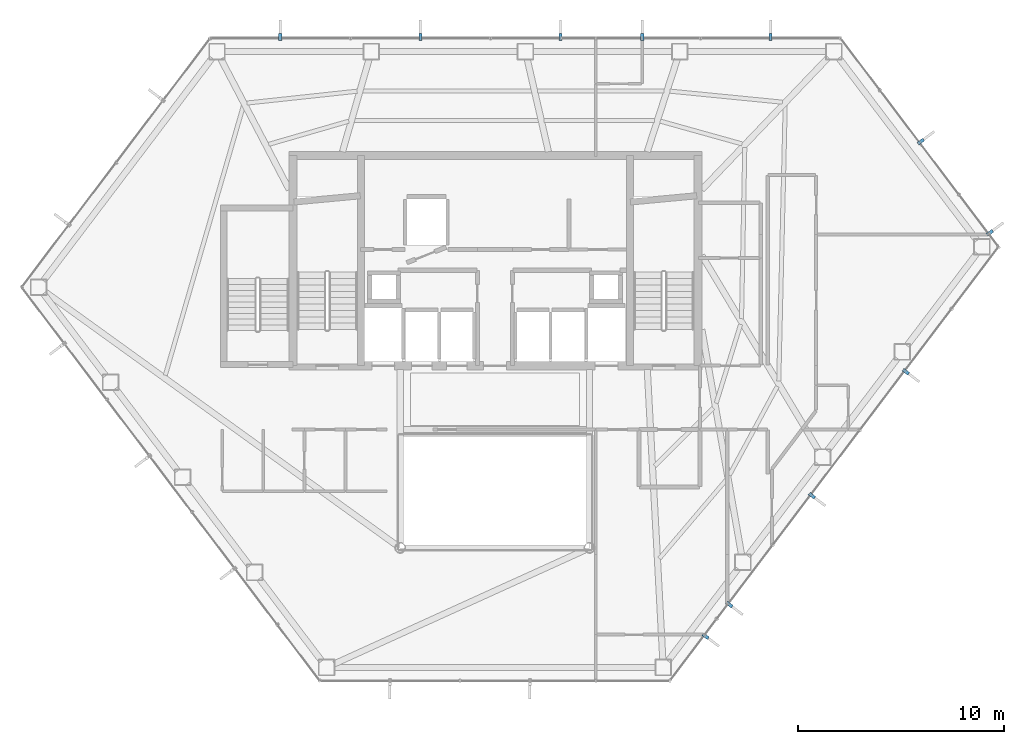
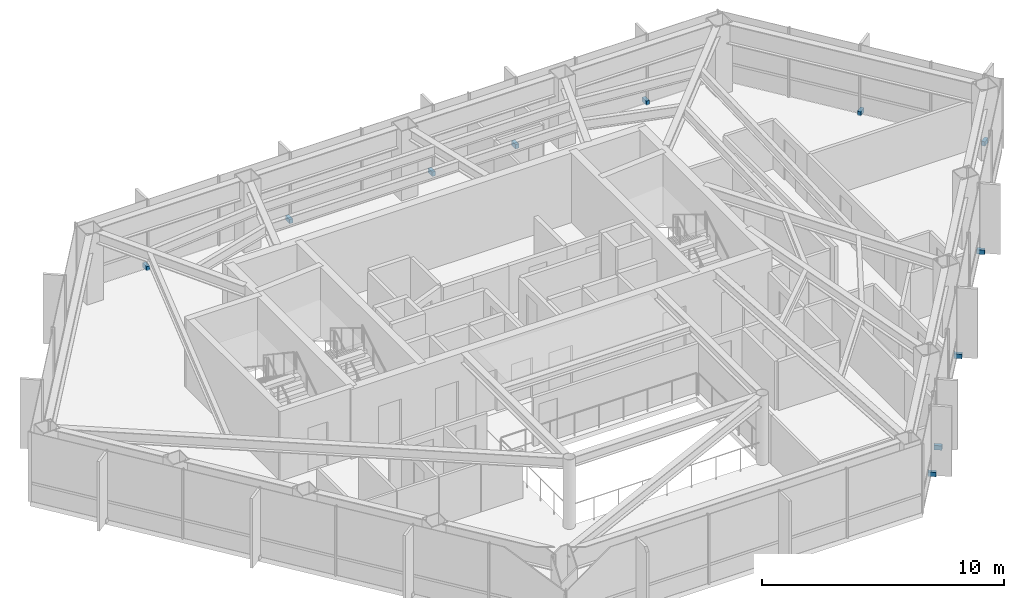
# One storey, part 28 of 29: 11 discrete accessories.
"""IFC4 building model written with IfcOpenShell, lengths in metres."""

import ifcopenshell
import ifcopenshell.guid

model = None  # the IFC model being written
_history = None  # IfcOwnerHistory: only IFC2X3 demands one
_inside = {}  # id of a spatial element -> (the spatial element, [elements in it])
_under = {}  # id of a project, library or spatial element -> (it, [spatial elements below it])
_declared = {}  # id of a project -> (the project, [libraries it declares])
_typed = {}  # id of a type object -> (the type object, [elements of that type])
_made_of = {}  # id of a material, layer set ... -> (it, [elements and type objects made of it])


def new_model(schema):
    """Start an empty IFC model of exactly this schema.

    Asked for "IFC4X3", IfcOpenShell would pick the latest addendum, in which some entities
    have other attributes; the version numbers below select the first issue.
    IFC2X3 requires an IfcOwnerHistory on every rooted entity: one is made here for all.
    """
    global model, _history
    if schema == "IFC4X3":
        model = ifcopenshell.file(schema_version=(4, 3, 0, 0))
    else:
        model = ifcopenshell.file(schema=schema)
    _inside.clear()
    _under.clear()
    _declared.clear()
    _typed.clear()
    _made_of.clear()
    _history = None
    if model.schema == "IFC2X3":
        org = make("IfcOrganization", Name="unknown")
        user = make(
            "IfcPersonAndOrganization",
            ThePerson=make("IfcPerson", FamilyName="unknown"),
            TheOrganization=org,
        )
        app = make(
            "IfcApplication",
            ApplicationDeveloper=org,
            Version="unknown",
            ApplicationFullName="unknown",
            ApplicationIdentifier="unknown",
        )
        _history = make(
            "IfcOwnerHistory",
            OwningUser=user,
            OwningApplication=app,
            ChangeAction="ADDED",
            CreationDate=0,
        )
    return model


def make(cls, **values):
    """One entity of the class cls with the attributes given. An attribute that is None is left unset."""
    return model.create_entity(
        cls, **{name: value for name, value in values.items() if value is not None}
    )


def rooted(cls, **values):
    """An entity with a GlobalId (a new one), such as an element, a storey or a relation."""
    return make(cls, GlobalId=ifcopenshell.guid.new(), OwnerHistory=_history, **values)


def si_unit(unit_type, name, prefix=None):
    """IfcSIUnit, for example si_unit("LENGTHUNIT", "METRE", prefix="MILLI")."""
    return make("IfcSIUnit", UnitType=unit_type, Prefix=prefix, Name=name)


def assignment(units):
    """IfcUnitAssignment: the units of a project."""
    return None if units is None else make("IfcUnitAssignment", Units=units)


def point(xyz):
    """IfcCartesianPoint."""
    return None if xyz is None else make("IfcCartesianPoint", Coordinates=xyz)


def direction(xyz):
    """IfcDirection."""
    return None if xyz is None else make("IfcDirection", DirectionRatios=xyz)


def frame(location, z_axis=None, x_axis=None):
    """IfcAxis2Placement3D, a coordinate frame: its origin and axes. An axis left out is left unset."""
    return make(
        "IfcAxis2Placement3D",
        Location=point(location),
        Axis=direction(z_axis),
        RefDirection=direction(x_axis),
    )


def frame_2d(location, x_axis=None):
    """IfcAxis2Placement2D, a coordinate frame in the plane: its origin and x axis."""
    return make(
        "IfcAxis2Placement2D", Location=point(location), RefDirection=direction(x_axis)
    )


def origin():
    """The frame at (0, 0, 0) with its axes left unset."""
    return frame((0.0, 0.0, 0.0))


def origin_2d():
    """The frame at (0, 0) in the plane with its x axis left unset."""
    return frame_2d((0.0, 0.0))


def place(relative_to, where):
    """IfcLocalPlacement: puts the frame where relative to a parent placement (None: the world)."""
    return make(
        "IfcLocalPlacement", PlacementRelTo=relative_to, RelativePlacement=where
    )


def context(
    kind, dimensions, precision=None, world=None, true_north=None, identifier=None
):
    """IfcGeometricRepresentationContext, for example the 3D "Model" context."""
    return make(
        "IfcGeometricRepresentationContext",
        ContextIdentifier=identifier,
        ContextType=kind,
        CoordinateSpaceDimension=dimensions,
        Precision=precision,
        WorldCoordinateSystem=world,
        TrueNorth=true_north,
    )


def subcontext(parent, identifier, kind, view, scale=None):
    """IfcGeometricRepresentationSubContext, for example "Body" below "Model"."""
    return make(
        "IfcGeometricRepresentationSubContext",
        ContextIdentifier=identifier,
        ContextType=kind,
        ParentContext=parent,
        TargetScale=scale,
        TargetView=view,
    )


def project(units=None, contexts=None):
    """IfcProject with its units and contexts."""
    return rooted(
        "IfcProject",
        Name="project",
        RepresentationContexts=contexts,
        UnitsInContext=assignment(units),
    )


def spatial(cls, under=None, at=None, **own):
    """A site, building, storey or space (cls), placed at a placement, below another one or the project."""
    s = rooted(cls, ObjectPlacement=at, **own)
    if under is not None:
        _under.setdefault(under.id(), (under, []))[1].append(s)
    return s


def profile(cls, at=None, kind="AREA", **sizes):
    """A parametric profile (cls). Its sizes go by their IFC names, for example OverallWidth=200.0."""
    return make(cls, ProfileType=kind, Position=at, **sizes)


def rectangle(**sizes):
    """IfcRectangleProfileDef."""
    return profile("IfcRectangleProfileDef", **sizes)


def extrude(swept, where, along, depth):
    """IfcExtrudedAreaSolid: the profile swept, set in the frame where, extruded along a direction by depth."""
    return make(
        "IfcExtrudedAreaSolid",
        SweptArea=swept,
        Position=where,
        ExtrudedDirection=direction(along),
        Depth=depth,
    )


def shape(context_of_items, identifier, shape_type, items):
    """IfcShapeRepresentation: the items that make up one representation, for example the "Body"."""
    return make(
        "IfcShapeRepresentation",
        ContextOfItems=context_of_items,
        RepresentationIdentifier=identifier,
        RepresentationType=shape_type,
        Items=items,
    )


def material(Name=None, Category=None):
    """IfcMaterial."""
    return make("IfcMaterial", Name=Name, Category=Category)


def made_of(thing, what):
    """Note that an element or type object is made of a material, layer set ...; save() writes the relation."""
    if what is not None:
        _made_of.setdefault(what.id(), (what, []))[1].append(thing)
    return thing


def type_object(cls, material=None, **own):
    """A type object (cls), such as IfcWallType, which elements share."""
    return made_of(rooted(cls, **own), material)


def element(
    cls,
    number,
    at=None,
    inside=None,
    cuts=None,
    type_object=None,
    material=None,
    context=None,
    identifier="Body",
    shape_type=None,
    held_by="IfcProductDefinitionShape",
    body=None,
    shapes=None,
    **own,
):
    """One element of the class cls, such as IfcWall. Its Tag is "e" and its number.

    at: its placement. inside: the storey or other place that contains it. cuts: it is an
    opening in that element (IfcRelVoidsElement). A single representation is given by context,
    identifier, shape_type and body (its items); several are given by shapes. held_by: the class
    of the entity that holds the representations. save() writes the other relations.
    """
    e = rooted(cls, Tag="e%d" % number, ObjectPlacement=at, **own)
    if body is not None:
        shapes = [shape(context, identifier, shape_type, body)]
    if shapes is not None:
        e.Representation = make(held_by, Representations=shapes)
    if inside is not None:
        _inside.setdefault(inside.id(), (inside, []))[1].append(e)
    if cuts is not None:
        rooted(
            "IfcRelVoidsElement", RelatingBuildingElement=cuts, RelatedOpeningElement=e
        )
    if type_object is not None:
        _typed.setdefault(type_object.id(), (type_object, []))[1].append(e)
    return made_of(e, material)


def aggregate(whole, parts):
    """IfcRelAggregates: a whole, such as a stair, and the parts it consists of."""
    return rooted("IfcRelAggregates", RelatingObject=whole, RelatedObjects=parts)


def save(model, path):
    """Write the relations noted so far, then the file.

    IfcRelAggregates (storeys below a building ...), IfcRelContainedInSpatialStructure (elements
    in a storey), IfcRelDefinesByType, IfcRelAssociatesMaterial and IfcRelDeclares: one each for
    every whole, place, type object, material and project.
    """
    for whole, parts in _under.values():
        aggregate(whole, parts)
    for where, things in _inside.values():
        rooted(
            "IfcRelContainedInSpatialStructure",
            RelatedElements=things,
            RelatingStructure=where,
        )
    for kind, things in _typed.values():
        rooted("IfcRelDefinesByType", RelatedObjects=things, RelatingType=kind)
    for what, things in _made_of.values():
        rooted("IfcRelAssociatesMaterial", RelatedObjects=things, RelatingMaterial=what)
    for by, libraries in _declared.values():
        rooted("IfcRelDeclares", RelatingContext=by, RelatedDefinitions=libraries)
    model.write(path)


model = new_model("IFC4")

# Units and contexts
model_context = context("Model", 3, precision=1e-05, world=origin(), true_north=direction((0.0, 1.0)))
body_context = subcontext(model_context, "Body", "Model", "MODEL_VIEW")
ifc_project = project(units=[si_unit("LENGTHUNIT", "METRE"), si_unit("AREAUNIT", "SQUARE_METRE"), si_unit("VOLUMEUNIT", "CUBIC_METRE"), si_unit("PLANEANGLEUNIT", "RADIAN"), si_unit("MASSUNIT", "GRAM", prefix="KILO")], contexts=[model_context])

# Site, building, storey
site_placement = place(None, origin())
site = spatial("IfcSite", under=ifc_project, at=site_placement, CompositionType="ELEMENT")
building_placement = place(site_placement, origin())
building = spatial("IfcBuilding", under=site, at=building_placement, Name="Zarrinselat Tower", CompositionType="ELEMENT")
storey_placement = place(building_placement, frame((0.0, 0.0, 134.639892578125)))
storey = spatial("IfcBuildingStorey", under=building, at=storey_placement, Name="L32", CompositionType="ELEMENT", Elevation=134.639892578125)

# Discrete accessories
ifc_material = material(Name="Steel S355J2", Category="steel")
discrete_accessory_type = type_object("IfcDiscreteAccessoryType", Name="ACC-FIN-BRACKET", PredefinedType="BRACKET", material=ifc_material)
for number, where, z_axis, x_axis, name in (
    (1, (51.787353515625, 49.219970703125, -0.0498046875), (0.0, 0.0, 1.0), (0.0, 1.0, 0.0), "L32 Fin Fixing Bracket CW-L32-E01-01"),
    (2, (45.550048828125, 49.219970703125, -0.0498046875), (0.0, 0.0, 1.0), (0.0, 1.0, 0.0), "L32 Fin Fixing Bracket CW-L32-E01-03"),
    (3, (41.585205078125, 49.219970703125, -0.0498046875), (0.0, 0.0, 1.0), (0.0, 1.0, 0.0), "L32 Fin Fixing Bracket CW-L32-E01-05"),
    (4, (34.78369140625, 49.219970703125, -0.0498046875), (0.0, 0.0, 1.0), (0.0, 1.0, 0.0), "L32 Fin Fixing Bracket CW-L32-E01-07"),
    (5, (27.982177734375, 49.219970703125, -0.0498046875), (0.0, 0.0, 1.0), (0.0, 1.0, 0.0), "L32 Fin Fixing Bracket CW-L32-E01-09"),
    (6, (48.626708984375, 20.11328125, -0.0498046875), (0.0, 0.0, 1.0), (0.797093582509, -0.603855794642, 0.0), "L32 Fin Fixing Bracket CW-L32-E05-01"),
    (7, (49.787109375, 21.64501953125, -0.0498046875), (0.0, 0.0, 1.0), (0.797093582509, -0.603855794642, 0.0), "L32 Fin Fixing Bracket CW-L32-E05-03"),
    (8, (53.794921875, 26.935302734375, -0.0498046875), (0.0, 0.0, 1.0), (0.797093582509, -0.603855794642, 0.0), "L32 Fin Fixing Bracket CW-L32-E05-05"),
    (9, (58.3564453125, 32.95654296875, -0.0498046875), (0.0, 0.0, 1.0), (0.797093582509, -0.603855794642, 0.0), "L32 Fin Fixing Bracket CW-L32-E05-07"),
    (10, (62.43603515625, 39.698486328125, -0.0498046875), (0.0, 0.0, 1.0), (0.79709088567, 0.60385935447, 0.0), "L32 Fin Fixing Bracket CW-L32-E06-01"),
    (11, (59.080810546875, 44.127197265625, -0.0498046875), (0.0, 0.0, 1.0), (0.79709088567, 0.60385935447, 0.0), "L32 Fin Fixing Bracket CW-L32-E06-03"),
):
    element("IfcDiscreteAccessory", number, at=place(storey_placement, frame(where, z_axis=z_axis, x_axis=x_axis)), inside=storey, type_object=discrete_accessory_type, Name=name, PredefinedType="BRACKET", context=body_context, shape_type="SweptSolid", body=[
        extrude(rectangle(XDim=0.340087890625, YDim=0.159912109375, at=origin_2d()), origin(), (0.0, 0.0, 1.0), 0.219970703125),
    ])

save(model, "model.ifc")
